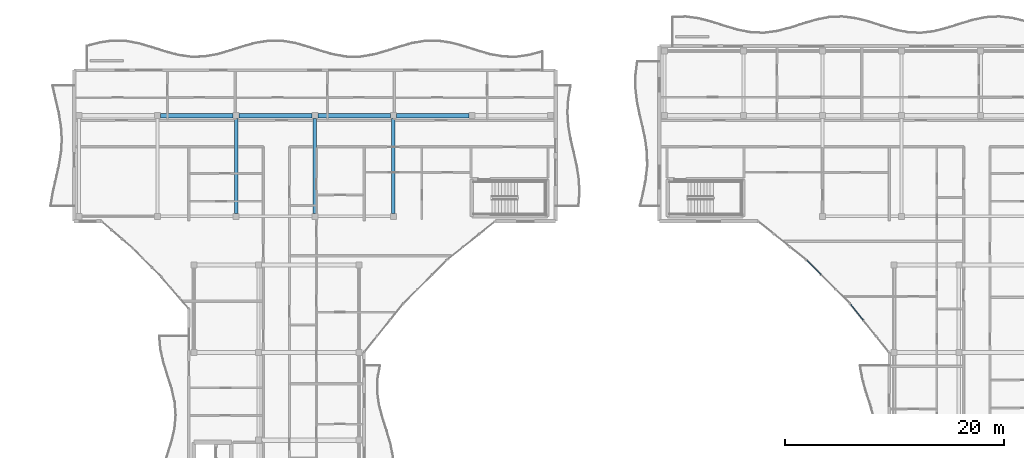
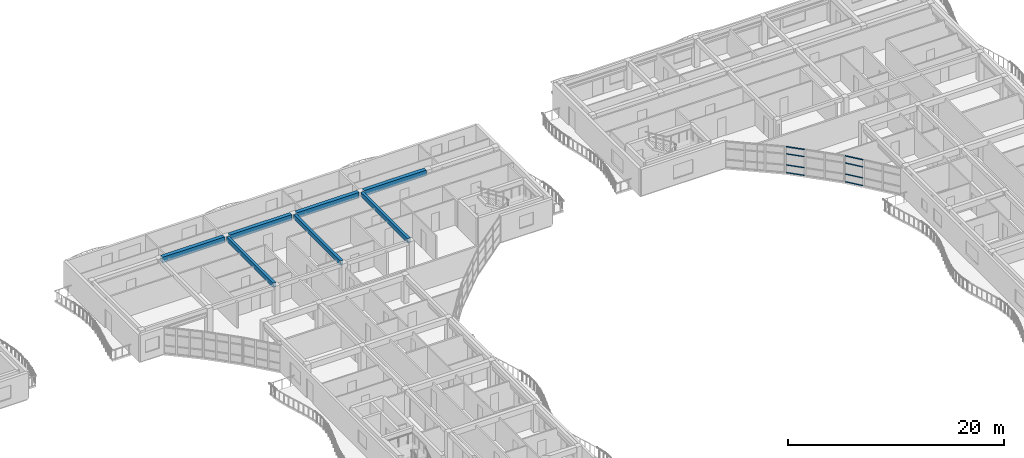
# One storey, part 14 of 49: 8 members, 7 beams, 2 elements without a shape of their own.
"""IFC4 building model written with IfcOpenShell, lengths in metres."""

from ifc_helpers import new_model, si_unit, direction, frame, origin, origin_2d, place, context, subcontext, project, spatial, rectangle, hollow_rectangle, extrude, material, layer, layer_set, material_profile, profile_set, type_object, element, aggregate, save


model = new_model("IFC4")

# Units and contexts
model_context = context("Model", 3, precision=1e-05, world=origin(), true_north=direction((0.0, 1.0)))
body_context = subcontext(model_context, "Body", "Model", "MODEL_VIEW")
ifc_project = project(units=[si_unit("LENGTHUNIT", "METRE"), si_unit("AREAUNIT", "SQUARE_METRE"), si_unit("VOLUMEUNIT", "CUBIC_METRE"), si_unit("PLANEANGLEUNIT", "RADIAN"), si_unit("MASSUNIT", "GRAM", prefix="KILO")], contexts=[model_context])

# Site, building, storey
site_placement = place(None, origin())
site = spatial("IfcSite", under=ifc_project, at=site_placement, CompositionType="ELEMENT")
building_placement = place(site_placement, origin())
building = spatial("IfcBuilding", under=site, at=building_placement, Name="Keldmere Railside Commons", CompositionType="ELEMENT")
storey_placement = place(building_placement, frame((0.0, 0.0, 29.760009765625)))
storey = spatial("IfcBuildingStorey", under=building, at=storey_placement, Name="L09", CompositionType="ELEMENT", Elevation=29.760009765625)

# Beams
ifc_material_1 = material(Name="Concrete H-30 (C30/37)", Category="concrete")
ifc_material_profile_1 = material_profile(ifc_material_1, rectangle(XDim=0.39990234375, YDim=0.64990234375, at=origin_2d()), Name="RC-400x650")
ifc_profile_set_1 = profile_set([ifc_material_profile_1], Name="Concrete H-30 (C30/37)")
beam_type_1 = type_object("IfcBeamType", Name="Residential Spine RC Girder 400x650", PredefinedType="BEAM", material=ifc_profile_set_1)
beam_1_placement = place(storey_placement, frame((101.407958984375, 109.64990234375, 2.875), z_axis=(1.0, 0.0, 0.0), x_axis=(0.0, 1.0, 0.0)))
element("IfcBeam", 1, at=beam_1_placement, inside=storey, type_object=beam_type_1, Name="BG-3 BM-L09-2307", PredefinedType="BEAM", context=body_context, shape_type="SweptSolid", body=[
    extrude(rectangle(XDim=0.39990234375, YDim=0.64990234375, at=origin_2d()), origin(), (0.0, 0.0, 1.0), 6.634033203125),
])
for number, where, z_axis, x_axis, name in (
    (2, (108.592041015625, 109.64990234375, 2.875), (1.0, 0.0, 0.0), (0.0, 1.0, 0.0), "BG-3 BM-L09-2308"),
    (3, (115.77490234375, 109.64990234375, 2.875), (1.0, 0.0, 0.0), (0.0, 1.0, 0.0), "BG-3 BM-L09-2309"),
):
    element("IfcBeam", number, at=place(storey_placement, frame(where, z_axis=z_axis, x_axis=x_axis)), inside=storey, type_object=beam_type_1, Name=name, PredefinedType="BEAM", context=body_context, shape_type="SweptSolid", body=[
        extrude(rectangle(XDim=0.39990234375, YDim=0.64990234375, at=origin_2d()), origin(), (0.0, 0.0, 1.0), 6.633056640625),
    ])
beam_2_placement = place(storey_placement, frame((122.9580078125, 109.64990234375, 2.875), z_axis=(1.0, 0.0, 0.0), x_axis=(0.0, 1.0, 0.0)))
element("IfcBeam", 4, at=beam_2_placement, inside=storey, type_object=beam_type_1, Name="BG-3 BM-L09-2310", PredefinedType="BEAM", context=body_context, shape_type="SweptSolid", body=[
    extrude(rectangle(XDim=0.39990234375, YDim=0.64990234375, at=origin_2d()), origin(), (0.0, 0.0, 1.0), 6.634033203125),
])
ifc_material_profile_2 = material_profile(ifc_material_1, rectangle(XDim=0.300048828125, YDim=0.5, at=origin_2d()), Name="RC-300x500")
ifc_profile_set_2 = profile_set([ifc_material_profile_2], Name="Concrete H-30 (C30/37)")
beam_type_2 = type_object("IfcBeamType", Name="Secondary Frame RC Beam 300x500", PredefinedType="BEAM", material=ifc_profile_set_2)
for number, where, z_axis, x_axis, name in (
    (5, (108.31689453125, 100.72509765625, 2.949951171875), (0.0, 1.0, 0.0), (-1.0, 0.0, 0.0), "BG-5 BM-L09-2336"),
    (6, (115.5, 100.72509765625, 2.949951171875), (0.0, 1.0, 0.0), (-1.0, 0.0, 0.0), "BG-5 BM-L09-2341"),
    (7, (122.68310546875, 100.72509765625, 2.949951171875), (0.0, 1.0, 0.0), (-1.0, 0.0, 0.0), "BG-5 BM-L09-2346"),
):
    element("IfcBeam", number, at=place(storey_placement, frame(where, z_axis=z_axis, x_axis=x_axis)), inside=storey, type_object=beam_type_2, Name=name, PredefinedType="BEAM", context=body_context, shape_type="SweptSolid", body=[
        extrude(rectangle(XDim=0.300048828125, YDim=0.5, at=origin_2d()), origin(), (0.0, 0.0, 1.0), 8.64990234375),
    ])

# Curtain wall, members
ifc_material_2 = material(Name="Thermally Broken Aluminium", Category="aluminium")
ifc_layer_1 = layer(ifc_material_2, 0.159912109375, Name="Court Chord Wintergarden CW 4800x2850")
ifc_layer_set_1 = layer_set([ifc_layer_1], Name="Thermally Broken Aluminium")
curtain_wall_type_1 = type_object("IfcCurtainWallType", Name="Court Chord Wintergarden CW 4800x2850", PredefinedType="NOTDEFINED", material=ifc_layer_set_1)
curtain_wall_1_placement = place(storey_placement, origin())
curtain_wall_1 = element("IfcCurtainWall", 8, at=curtain_wall_1_placement, inside=storey, type_object=curtain_wall_type_1, Name="CW-12 CW-L09-185", PredefinedType="NOTDEFINED")
ifc_material_profile_3 = material_profile(ifc_material_2, hollow_rectangle(XDim=0.06494140625, YDim=0.1201171875, WallThickness=0.00390625, at=origin_2d()), Name="ALU-TRAN-65x120")
ifc_profile_set_3 = profile_set([ifc_material_profile_3], Name="Thermally Broken Aluminium")
member_type = type_object("IfcMemberType", Name="Unitised Curtain Wall Transom 65x120", PredefinedType="USERDEFINED", material=ifc_profile_set_3)
member_1_placement = place(storey_placement, frame((161.74560546875, 95.13037109375, 0.032470703125), z_axis=(-0.707038793419, 0.707174762418, 0.0), x_axis=(-0.707174762418, -0.707038793419, 0.0)))
member_1 = element("IfcMember", 9, at=member_1_placement, type_object=member_type, Name="CW-12 transom 3.1", ObjectType="TRANSOM", PredefinedType="USERDEFINED", context=body_context, shape_type="SweptSolid", body=[
    extrude(hollow_rectangle(XDim=0.06494140625, YDim=0.1201171875, WallThickness=0.00390625, at=origin_2d()), origin(), (0.0, 0.0, 1.0), 1.795654296875),
])
member_2_placement = place(storey_placement, frame((161.74560546875, 95.13037109375, 0.89990234375), z_axis=(-0.707038793419, 0.707174762418, 0.0), x_axis=(-0.707174762418, -0.707038793419, 0.0)))
member_2 = element("IfcMember", 10, at=member_2_placement, type_object=member_type, Name="CW-12 transom 3.2", ObjectType="TRANSOM", PredefinedType="USERDEFINED", context=body_context, shape_type="SweptSolid", body=[
    extrude(hollow_rectangle(XDim=0.06494140625, YDim=0.1201171875, WallThickness=0.00390625, at=origin_2d()), origin(), (0.0, 0.0, 1.0), 1.795654296875),
])
member_3_placement = place(storey_placement, frame((161.74560546875, 95.13037109375, 2.14990234375), z_axis=(-0.707038793419, 0.707174762418, 0.0), x_axis=(-0.707174762418, -0.707038793419, 0.0)))
member_3 = element("IfcMember", 11, at=member_3_placement, type_object=member_type, Name="CW-12 transom 3.3", ObjectType="TRANSOM", PredefinedType="USERDEFINED", context=body_context, shape_type="SweptSolid", body=[
    extrude(hollow_rectangle(XDim=0.06494140625, YDim=0.1201171875, WallThickness=0.00390625, at=origin_2d()), origin(), (0.0, 0.0, 1.0), 1.795654296875),
])
member_4_placement = place(storey_placement, frame((161.74560546875, 95.13037109375, 2.947509765625), z_axis=(-0.707038793419, 0.707174762418, 0.0), x_axis=(-0.707174762418, -0.707038793419, 0.0)))
member_4 = element("IfcMember", 12, at=member_4_placement, type_object=member_type, Name="CW-12 transom 3.4", ObjectType="TRANSOM", PredefinedType="USERDEFINED", context=body_context, shape_type="SweptSolid", body=[
    extrude(hollow_rectangle(XDim=0.06494140625, YDim=0.1201171875, WallThickness=0.00390625, at=origin_2d()), origin(), (0.0, 0.0, 1.0), 1.795654296875),
])
aggregate(curtain_wall_1, [member_1, member_2, member_3, member_4])

ifc_layer_2 = layer(ifc_material_2, 0.159912109375, Name="Court Chord Wintergarden CW 5400x2850")
ifc_layer_set_2 = layer_set([ifc_layer_2], Name="Thermally Broken Aluminium")
curtain_wall_type_2 = type_object("IfcCurtainWallType", Name="Court Chord Wintergarden CW 5400x2850", PredefinedType="NOTDEFINED", material=ifc_layer_set_2)
curtain_wall_2_placement = place(storey_placement, origin())
curtain_wall_2 = element("IfcCurtainWall", 13, at=curtain_wall_2_placement, inside=storey, type_object=curtain_wall_type_2, Name="CW-13 CW-L09-186", PredefinedType="NOTDEFINED")
member_5_placement = place(storey_placement, frame((165.6103515625, 90.978759765625, 0.032470703125), z_axis=(-0.625805275091, 0.779979331565, 0.0), x_axis=(-0.779979331565, -0.625805275091, 0.0)))
member_5 = element("IfcMember", 14, at=member_5_placement, type_object=member_type, Name="CW-13 transom 3.1", ObjectType="TRANSOM", PredefinedType="USERDEFINED", context=body_context, shape_type="SweptSolid", body=[
    extrude(hollow_rectangle(XDim=0.06494140625, YDim=0.1201171875, WallThickness=0.00390625, at=origin_2d()), origin(), (0.0, 0.0, 1.0), 1.795654296875),
])
member_6_placement = place(storey_placement, frame((165.6103515625, 90.978759765625, 0.89990234375), z_axis=(-0.625805275091, 0.779979331565, 0.0), x_axis=(-0.779979331565, -0.625805275091, 0.0)))
member_6 = element("IfcMember", 15, at=member_6_placement, type_object=member_type, Name="CW-13 transom 3.2", ObjectType="TRANSOM", PredefinedType="USERDEFINED", context=body_context, shape_type="SweptSolid", body=[
    extrude(hollow_rectangle(XDim=0.06494140625, YDim=0.1201171875, WallThickness=0.00390625, at=origin_2d()), origin(), (0.0, 0.0, 1.0), 1.795654296875),
])
member_7_placement = place(storey_placement, frame((165.6103515625, 90.978759765625, 2.14990234375), z_axis=(-0.625805275091, 0.779979331565, 0.0), x_axis=(-0.779979331565, -0.625805275091, 0.0)))
member_7 = element("IfcMember", 16, at=member_7_placement, type_object=member_type, Name="CW-13 transom 3.3", ObjectType="TRANSOM", PredefinedType="USERDEFINED", context=body_context, shape_type="SweptSolid", body=[
    extrude(hollow_rectangle(XDim=0.06494140625, YDim=0.1201171875, WallThickness=0.00390625, at=origin_2d()), origin(), (0.0, 0.0, 1.0), 1.795654296875),
])
member_8_placement = place(storey_placement, frame((165.6103515625, 90.978759765625, 2.947509765625), z_axis=(-0.625805275091, 0.779979331565, 0.0), x_axis=(-0.779979331565, -0.625805275091, 0.0)))
member_8 = element("IfcMember", 17, at=member_8_placement, type_object=member_type, Name="CW-13 transom 3.4", ObjectType="TRANSOM", PredefinedType="USERDEFINED", context=body_context, shape_type="SweptSolid", body=[
    extrude(hollow_rectangle(XDim=0.06494140625, YDim=0.1201171875, WallThickness=0.00390625, at=origin_2d()), origin(), (0.0, 0.0, 1.0), 1.795654296875),
])
aggregate(curtain_wall_2, [member_5, member_6, member_7, member_8])

save(model, "model.ifc")
